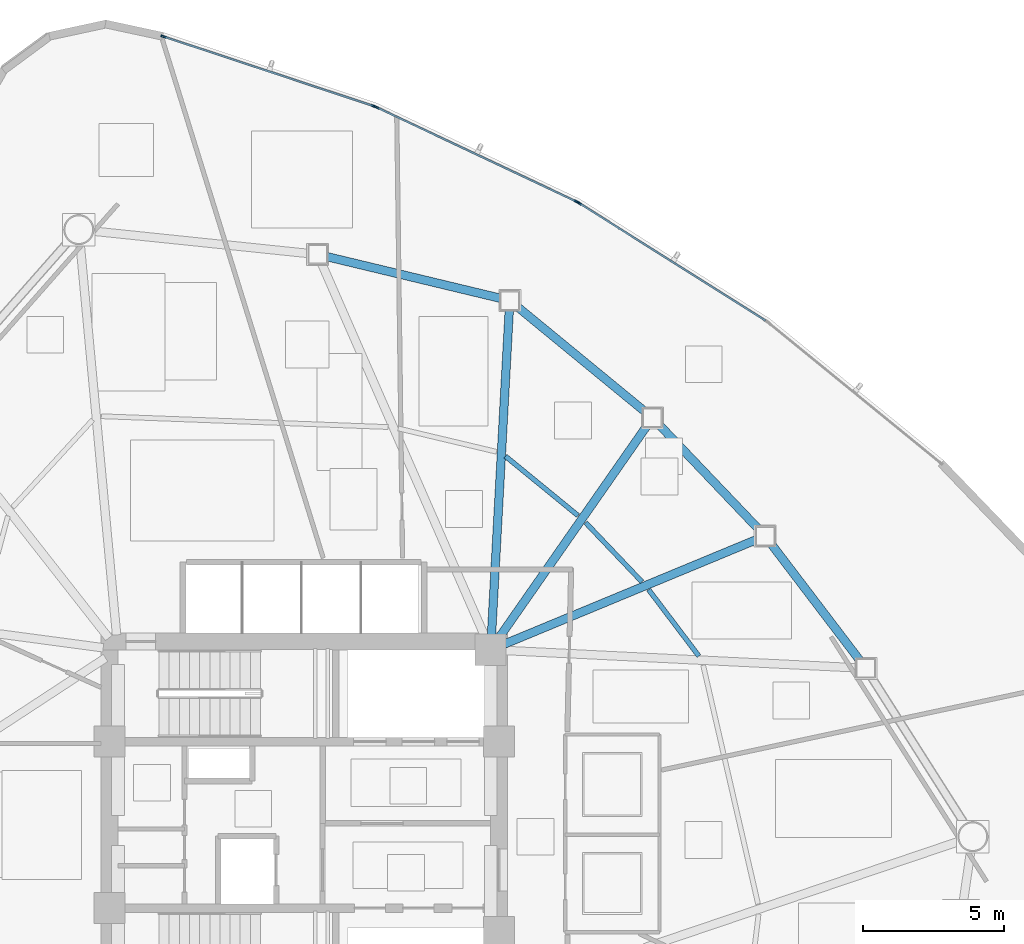
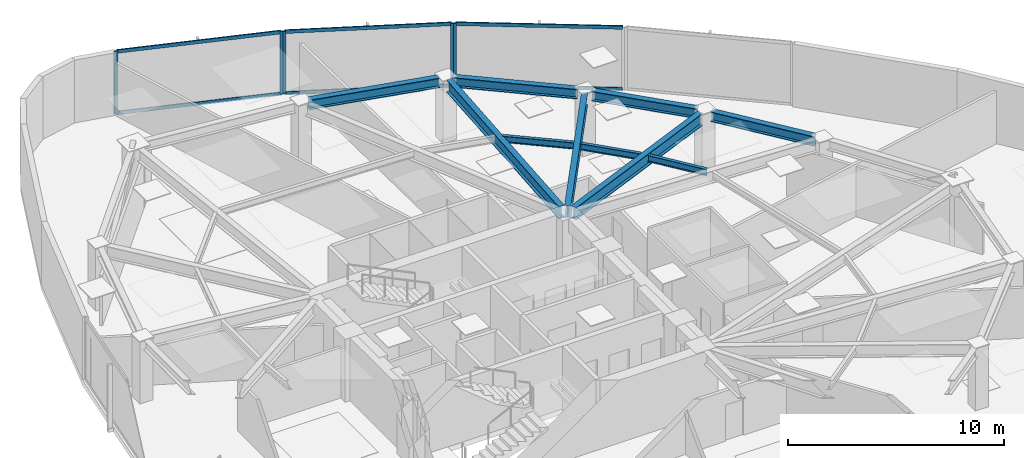
# One storey, part 8 of 17: 11 members, 10 beams, 3 elements without a shape of their own.
"""IFC4 building model written with IfcOpenShell, lengths in metres."""

from ifc_helpers import new_model, si_unit, direction, frame, origin, origin_2d, place, context, subcontext, project, spatial, hollow_rectangle, i_section, extrude, source, transform, mapped, material, layer, layer_set, material_profile, profile_set, type_object, type_shapes, element, aggregate, save


model = new_model("IFC4")

# Units and contexts
model_context = context("Model", 3, precision=1e-05, world=origin(), true_north=direction((0.0, 1.0)))
body_context = subcontext(model_context, "Body", "Model", "MODEL_VIEW")
ifc_project = project(units=[si_unit("LENGTHUNIT", "METRE"), si_unit("AREAUNIT", "SQUARE_METRE"), si_unit("VOLUMEUNIT", "CUBIC_METRE"), si_unit("PLANEANGLEUNIT", "RADIAN"), si_unit("MASSUNIT", "GRAM", prefix="KILO")], contexts=[model_context])

# Site, building, storey
site_placement = place(None, origin())
site = spatial("IfcSite", under=ifc_project, at=site_placement, CompositionType="ELEMENT")
building_placement = place(site_placement, origin())
building = spatial("IfcBuilding", under=site, at=building_placement, Name="Tavelor Broadcast Tower", CompositionType="ELEMENT")
storey_placement = place(building_placement, frame((0.0, 0.0, 134.85009765625)))
storey = spatial("IfcBuildingStorey", under=building, at=storey_placement, Name="L31", CompositionType="ELEMENT", Elevation=134.85009765625)

# Beams
ifc_material_1 = material(Name="Steel S355", Category="steel")
ifc_material_profile_1 = material_profile(ifc_material_1, i_section(OverallWidth=0.169921875, OverallDepth=0.360107421875, WebThickness=0.008056640625, FlangeThickness=0.0126953125, at=origin_2d()), Name="IPE 360")
ifc_profile_set_1 = profile_set([ifc_material_profile_1], Name="Steel S355")
beam_type_1 = type_object("IfcBeamType", Name="Composite Floor Joist T3 IPE 360", PredefinedType="JOIST", material=ifc_profile_set_1)
beam_1_placement = place(storey_placement, frame((63.97509765625, 50.974853515625, 3.369873046875), z_axis=(-0.603343158319, 0.797481682116, 0.0), x_axis=(-0.797481682116, -0.603343158319, 0.0)))
element("IfcBeam", 1, at=beam_1_placement, inside=storey, type_object=beam_type_1, Name="L31 Secondary Composite Floor Joist 14", PredefinedType="JOIST", context=body_context, shape_type="SweptSolid", body=[
    extrude(i_section(OverallWidth=0.169921875, OverallDepth=0.360107421875, WebThickness=0.008056640625, FlangeThickness=0.0126953125, at=origin_2d()), origin(), (0.0, 0.0, 1.0), 2.951416015625),
])
beam_2_placement = place(storey_placement, frame((61.960205078125, 53.60400390625, 3.369873046875), z_axis=(-0.689436692526, 0.724345944283, 0.0), x_axis=(-0.724345944283, -0.689436692526, 0.0)))
element("IfcBeam", 2, at=beam_2_placement, inside=storey, type_object=beam_type_1, Name="L31 Secondary Composite Floor Joist 15", PredefinedType="JOIST", context=body_context, shape_type="SweptSolid", body=[
    extrude(i_section(OverallWidth=0.169921875, OverallDepth=0.360107421875, WebThickness=0.008056640625, FlangeThickness=0.0126953125, at=origin_2d()), origin(), (0.0, 0.0, 1.0), 2.90234375),
])
beam_3_placement = place(storey_placement, frame((59.6943359375, 55.951904296875, 3.369873046875), z_axis=(-0.774130723206, 0.633025768345, 0.0), x_axis=(-0.633025768345, -0.774130723206, 0.0)))
element("IfcBeam", 3, at=beam_3_placement, inside=storey, type_object=beam_type_1, Name="L31 Secondary Composite Floor Joist 16", PredefinedType="JOIST", context=body_context, shape_type="SweptSolid", body=[
    extrude(i_section(OverallWidth=0.169921875, OverallDepth=0.360107421875, WebThickness=0.008056640625, FlangeThickness=0.0126953125, at=origin_2d()), origin(), (0.0, 0.0, 1.0), 3.32373046875),
])
ifc_material_profile_2 = material_profile(ifc_material_1, i_section(OverallWidth=0.300048828125, OverallDepth=0.550048828125, WebThickness=0.014892578125, FlangeThickness=0.029052734375, at=origin_2d()), Name="HEB 550")
ifc_profile_set_2 = profile_set([ifc_material_profile_2], Name="Steel S355")
beam_type_2 = type_object("IfcBeamType", Name="Perimeter Spandrel Beam T3 HEB 550", PredefinedType="SPANDREL", material=ifc_profile_set_2)
beam_4_placement = place(storey_placement, frame((69.6826171875, 50.8115234375, 3.27490234375), z_axis=(-0.605507005058, 0.795839975639, 0.0), x_axis=(-0.795839975639, -0.605507005058, 0.0)))
element("IfcBeam", 4, at=beam_4_placement, inside=storey, type_object=beam_type_2, Name="L31 Framed-Tube Ring Spandrel 14", PredefinedType="SPANDREL", context=body_context, shape_type="SweptSolid", body=[
    extrude(i_section(OverallWidth=0.300048828125, OverallDepth=0.550048828125, WebThickness=0.014892578125, FlangeThickness=0.029052734375, at=origin_2d()), origin(), (0.0, 0.0, 1.0), 5.214111328125),
])
beam_5_placement = place(storey_placement, frame((66.090087890625, 55.471923828125, 3.27490234375), z_axis=(-0.689928162502, 0.723877842309, 0.0), x_axis=(-0.723877842309, -0.689928162502, 0.0)))
element("IfcBeam", 5, at=beam_5_placement, inside=storey, type_object=beam_type_2, Name="L31 Framed-Tube Ring Spandrel 15", PredefinedType="SPANDREL", context=body_context, shape_type="SweptSolid", body=[
    extrude(i_section(OverallWidth=0.300048828125, OverallDepth=0.550048828125, WebThickness=0.014892578125, FlangeThickness=0.029052734375, at=origin_2d()), origin(), (0.0, 0.0, 1.0), 5.113037109375),
])
beam_6_placement = place(storey_placement, frame((62.0712890625, 59.62939453125, 3.27490234375), z_axis=(-0.772702936962, 0.634767808896, 0.0), x_axis=(-0.634767808896, -0.772702936962, 0.0)))
element("IfcBeam", 6, at=beam_6_placement, inside=storey, type_object=beam_type_2, Name="L31 Framed-Tube Ring Spandrel 16", PredefinedType="SPANDREL", context=body_context, shape_type="SweptSolid", body=[
    extrude(i_section(OverallWidth=0.300048828125, OverallDepth=0.550048828125, WebThickness=0.014892578125, FlangeThickness=0.029052734375, at=origin_2d()), origin(), (0.0, 0.0, 1.0), 5.869140625),
])
beam_7_placement = place(storey_placement, frame((56.949951171875, 63.64697265625, 3.27490234375), z_axis=(-0.972363823797, 0.233470756565, 0.0), x_axis=(-0.233470756565, -0.972363823797, 0.0)))
element("IfcBeam", 7, at=beam_7_placement, inside=storey, type_object=beam_type_2, Name="L31 Framed-Tube Ring Spandrel 17", PredefinedType="SPANDREL", context=body_context, shape_type="SweptSolid", body=[
    extrude(i_section(OverallWidth=0.300048828125, OverallDepth=0.550048828125, WebThickness=0.014892578125, FlangeThickness=0.029052734375, at=origin_2d()), origin(), (0.0, 0.0, 1.0), 6.325439453125),
])
ifc_material_profile_3 = material_profile(ifc_material_1, i_section(OverallWidth=0.300048828125, OverallDepth=0.68994140625, WebThickness=0.014404296875, FlangeThickness=0.027099609375, at=origin_2d()), Name="HEA 700")
ifc_profile_set_3 = profile_set([ifc_material_profile_3], Name="Steel S355")
beam_type_3 = type_object("IfcBeamType", Name="Radial Floor Girder T3 HEA 700", PredefinedType="BEAM", material=ifc_profile_set_3)
beam_8_placement = place(storey_placement, frame((57.087890625, 51.402099609375, 3.204833984375), z_axis=(0.92381625254, 0.382836168018, 0.0), x_axis=(-0.382836168018, 0.92381625254, 0.0)))
element("IfcBeam", 8, at=beam_8_placement, inside=storey, type_object=beam_type_3, Name="L31 Radial Primary Floor Girder 15", PredefinedType="BEAM", context=body_context, shape_type="SweptSolid", body=[
    extrude(i_section(OverallWidth=0.300048828125, OverallDepth=0.68994140625, WebThickness=0.014404296875, FlangeThickness=0.027099609375, at=origin_2d()), origin(), (0.0, 0.0, 1.0), 9.659423828125),
])
beam_9_placement = place(storey_placement, frame((56.902099609375, 51.633056640625, 3.204833984375), z_axis=(0.572088555537, 0.820191858423, 0.0), x_axis=(-0.820191858423, 0.572088555537, 0.0)))
element("IfcBeam", 9, at=beam_9_placement, inside=storey, type_object=beam_type_3, Name="L31 Radial Primary Floor Girder 16", PredefinedType="BEAM", context=body_context, shape_type="SweptSolid", body=[
    extrude(i_section(OverallWidth=0.300048828125, OverallDepth=0.68994140625, WebThickness=0.014404296875, FlangeThickness=0.027099609375, at=origin_2d()), origin(), (0.0, 0.0, 1.0), 9.1533203125),
])
beam_10_placement = place(storey_placement, frame((56.62890625, 51.727294921875, 3.204833984375), z_axis=(0.054621583664, 0.998507126964, 0.0), x_axis=(-0.998507126964, 0.054621583664, 0.0)))
element("IfcBeam", 10, at=beam_10_placement, inside=storey, type_object=beam_type_3, Name="L31 Radial Primary Floor Girder 17", PredefinedType="BEAM", context=body_context, shape_type="SweptSolid", body=[
    extrude(i_section(OverallWidth=0.300048828125, OverallDepth=0.68994140625, WebThickness=0.014404296875, FlangeThickness=0.027099609375, at=origin_2d()), origin(), (0.0, 0.0, 1.0), 11.522705078125),
])

# Curtain wall, member
ifc_material_2 = material(Name="Architectural Anodized Aluminium", Category="aluminium")
ifc_layer = layer(ifc_material_2, 0.18994140625)
ifc_layer_set = layer_set([ifc_layer], Name="Architectural Anodized Aluminium")
curtain_wall_type = type_object("IfcCurtainWallType", Name="Tower Mid-Zone Acoustic Curtain Wall CW03", PredefinedType="NOTDEFINED", material=ifc_layer_set)
curtain_wall_1_placement = place(storey_placement, origin())
curtain_wall_1 = element("IfcCurtainWall", 11, at=curtain_wall_1_placement, inside=storey, type_object=curtain_wall_type, Name="L31 Curtain Wall CW03 Run 322", PredefinedType="NOTDEFINED")
ifc_material_profile_4 = material_profile(ifc_material_2, hollow_rectangle(XDim=0.068115234375, YDim=0.18994140625, WallThickness=0.02197265625, at=origin_2d()), Name="RHS 68x190x22")
ifc_profile_set_4 = profile_set([ifc_material_profile_4], Name="Architectural Anodized Aluminium")
member_type_1 = type_object("IfcMemberType", Name="CW03 Extruded Aluminium Mullion 68x190", PredefinedType="MULLION", material=ifc_profile_set_4)
shared_shape_1 = source(origin(), body_context, "Body", "SweptSolid", [
    extrude(hollow_rectangle(XDim=0.068115234375, YDim=0.18994140625, WallThickness=0.02197265625, at=origin_2d()), origin(), (0.0, 0.0, 1.0), 3.5498046875),
])
type_shapes(member_type_1, [shared_shape_1])
member_1_placement = place(storey_placement, frame((59.72900390625, 67.0205078125, 0.0), z_axis=(0.0, 0.0, 1.0), x_axis=(-0.533237565135, -0.845965542519, 0.0)))
member_1 = element("IfcMember", 12, at=member_1_placement, type_object=member_type_1, Name="CW03 mullion 2", PredefinedType="MULLION", context=body_context, shape_type="MappedRepresentation", body=[
    mapped(shared_shape_1, transform((0.0, 0.0, 0.0), scale=1.0)),
])

# Curtain wall, members
curtain_wall_2_placement = place(storey_placement, origin())
curtain_wall_2 = element("IfcCurtainWall", 13, at=curtain_wall_2_placement, inside=storey, type_object=curtain_wall_type, Name="L31 Curtain Wall CW03 Run 323", PredefinedType="NOTDEFINED")
member_2_placement = place(storey_placement, frame((59.643310546875, 67.067626953125, 0.0), z_axis=(0.0, 0.0, 1.0), x_axis=(-0.426954019971, -0.904273335243, 0.0)))
member_2 = element("IfcMember", 14, at=member_2_placement, type_object=member_type_1, Name="CW03 mullion 1", PredefinedType="MULLION", context=body_context, shape_type="MappedRepresentation", body=[
    mapped(shared_shape_1, transform((0.0, 0.0, 0.0), scale=1.0)),
])
member_3_placement = place(storey_placement, frame((52.555419921875, 70.4140625, 0.0), z_axis=(0.0, 0.0, 1.0), x_axis=(-0.426954019971, -0.904273335243, 0.0)))
member_3 = element("IfcMember", 15, at=member_3_placement, type_object=member_type_1, Name="CW03 mullion 2", PredefinedType="MULLION", context=body_context, shape_type="MappedRepresentation", body=[
    mapped(shared_shape_1, transform((0.0, 0.0, 0.0), scale=1.0)),
])

curtain_wall_3_placement = place(storey_placement, origin())
curtain_wall_3 = element("IfcCurtainWall", 16, at=curtain_wall_3_placement, inside=storey, type_object=curtain_wall_type, Name="L31 Curtain Wall CW03 Run 324", PredefinedType="NOTDEFINED")
member_4_placement = place(storey_placement, frame((52.464599609375, 70.450439453125, 0.0), z_axis=(0.0, 0.0, 1.0), x_axis=(-0.314386747444, -0.949294987363, 0.0)))
member_4 = element("IfcMember", 17, at=member_4_placement, type_object=member_type_1, Name="CW03 mullion 1", PredefinedType="MULLION", context=body_context, shape_type="MappedRepresentation", body=[
    mapped(shared_shape_1, transform((0.0, 0.0, 0.0), scale=1.0)),
])
member_5_placement = place(storey_placement, frame((45.0087890625, 72.919677734375, 0.0), z_axis=(0.0, 0.0, 1.0), x_axis=(-0.314386747444, -0.949294987363, 0.0)))
member_5 = element("IfcMember", 18, at=member_5_placement, type_object=member_type_1, Name="CW03 mullion 2", PredefinedType="MULLION", context=body_context, shape_type="MappedRepresentation", body=[
    mapped(shared_shape_1, transform((0.0, 0.0, 0.0), scale=1.0)),
])

# Member
ifc_material_profile_5 = material_profile(ifc_material_2, hollow_rectangle(XDim=0.068115234375, YDim=0.18994140625, WallThickness=0.02197265625, at=origin_2d()), Name="RHS 68x190x22")
ifc_profile_set_5 = profile_set([ifc_material_profile_5], Name="Architectural Anodized Aluminium")
member_type_2 = type_object("IfcMemberType", Name="CW03 Extruded Aluminium Transom 68x190", PredefinedType="USERDEFINED", material=ifc_profile_set_5)
shared_shape_2 = source(origin(), body_context, "Body", "SweptSolid", [
    extrude(hollow_rectangle(XDim=0.068115234375, YDim=0.18994140625, WallThickness=0.02197265625, at=origin_2d()), origin(), (0.0, 0.0, 1.0), 7.770263671875),
])
member_6_placement = place(storey_placement, frame((59.612548828125, 67.08203125, 0.033935546875), z_axis=(-0.904267517685, 0.426966341133, 0.0), x_axis=(-0.426966341133, -0.904267517685, 0.0)))
member_6 = element("IfcMember", 19, at=member_6_placement, type_object=member_type_2, Name="CW03 transom 1.1", ObjectType="TRANSOM", PredefinedType="USERDEFINED", context=body_context, shape_type="MappedRepresentation", body=[
    mapped(shared_shape_2, transform((0.0, 0.0, 0.0), scale=1.0)),
])

member_7_placement = place(storey_placement, frame((59.612548828125, 67.08203125, 3.515869140625), z_axis=(-0.904267517685, 0.426966341133, 0.0), x_axis=(-0.426966341133, -0.904267517685, 0.0)))
member_7 = element("IfcMember", 20, at=member_7_placement, type_object=member_type_2, Name="CW03 transom 1.2", ObjectType="TRANSOM", PredefinedType="USERDEFINED", context=body_context, shape_type="MappedRepresentation", body=[
    mapped(shared_shape_2, transform((0.0, 0.0, 0.0), scale=1.0)),
])

aggregate(curtain_wall_2, [member_2, member_3, member_6, member_7])

shared_shape_3 = source(origin(), body_context, "Body", "SweptSolid", [
    extrude(hollow_rectangle(XDim=0.068115234375, YDim=0.18994140625, WallThickness=0.02197265625, at=origin_2d()), origin(), (0.0, 0.0, 1.0), 7.77001953125),
])
member_8_placement = place(storey_placement, frame((66.3310546875, 62.859130859375, 0.033935546875), z_axis=(-0.845965659493, 0.533237379559, 0.0), x_axis=(-0.533237379559, -0.845965659493, 0.0)))
member_8 = element("IfcMember", 21, at=member_8_placement, type_object=member_type_2, Name="CW03 transom 1.1", ObjectType="TRANSOM", PredefinedType="USERDEFINED", context=body_context, shape_type="MappedRepresentation", body=[
    mapped(shared_shape_3, transform((0.0, 0.0, 0.0), scale=1.0)),
])

member_9_placement = place(storey_placement, frame((66.3310546875, 62.859130859375, 3.515869140625), z_axis=(-0.845965659493, 0.533237379559, 0.0), x_axis=(-0.533237379559, -0.845965659493, 0.0)))
member_9 = element("IfcMember", 22, at=member_9_placement, type_object=member_type_2, Name="CW03 transom 1.2", ObjectType="TRANSOM", PredefinedType="USERDEFINED", context=body_context, shape_type="MappedRepresentation", body=[
    mapped(shared_shape_3, transform((0.0, 0.0, 0.0), scale=1.0)),
])

aggregate(curtain_wall_1, [member_1, member_8, member_9])

shared_shape_4 = source(origin(), body_context, "Body", "SweptSolid", [
    extrude(hollow_rectangle(XDim=0.068115234375, YDim=0.18994140625, WallThickness=0.02197265625, at=origin_2d()), origin(), (0.0, 0.0, 1.0), 7.785888671875),
])
type_shapes(member_type_2, [shared_shape_2, shared_shape_3, shared_shape_4])
member_10_placement = place(storey_placement, frame((52.43212890625, 70.461181640625, 0.033935546875), z_axis=(-0.949296099839, 0.314383388287, 0.0), x_axis=(-0.314383388287, -0.949296099839, 0.0)))
member_10 = element("IfcMember", 23, at=member_10_placement, type_object=member_type_2, Name="CW03 transom 1.1", ObjectType="TRANSOM", PredefinedType="USERDEFINED", context=body_context, shape_type="MappedRepresentation", body=[
    mapped(shared_shape_4, transform((0.0, 0.0, 0.0), scale=1.0)),
])

member_11_placement = place(storey_placement, frame((52.43212890625, 70.461181640625, 3.515869140625), z_axis=(-0.949296099839, 0.314383388287, 0.0), x_axis=(-0.314383388287, -0.949296099839, 0.0)))
member_11 = element("IfcMember", 24, at=member_11_placement, type_object=member_type_2, Name="CW03 transom 1.2", ObjectType="TRANSOM", PredefinedType="USERDEFINED", context=body_context, shape_type="MappedRepresentation", body=[
    mapped(shared_shape_4, transform((0.0, 0.0, 0.0), scale=1.0)),
])

aggregate(curtain_wall_3, [member_4, member_5, member_10, member_11])

save(model, "model.ifc")
